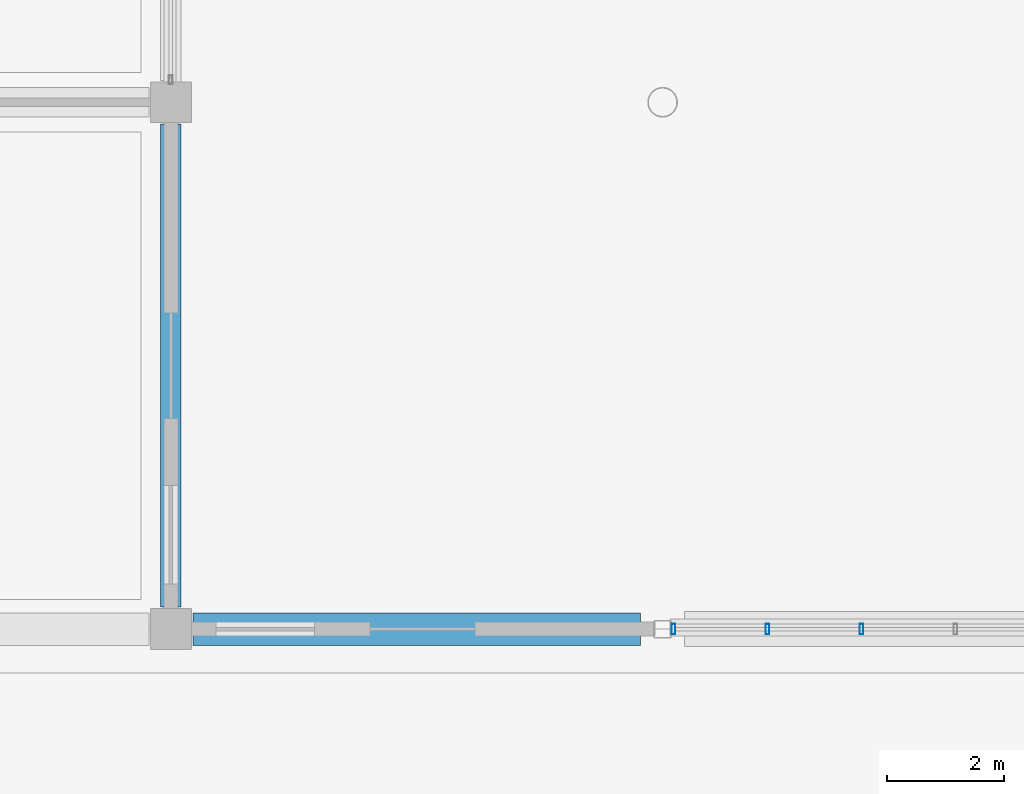
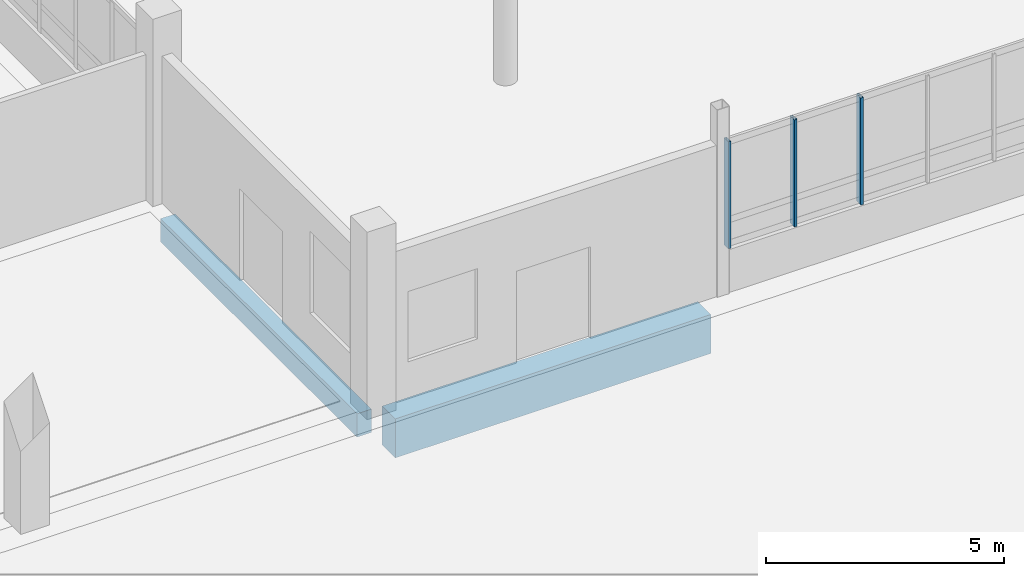
# One storey, part 20 of 95: 3 members, 2 beams, 1 element without a shape of its own.
"""IFC4 building model written with IfcOpenShell, lengths in metres."""

from ifc_helpers import new_model, si_unit, direction, frame, origin, origin_2d, place, context, subcontext, project, spatial, rectangle, hollow_rectangle, extrude, material, layer, layer_set, material_profile, profile_set, type_object, element, aggregate, save


model = new_model("IFC4")

# Units and contexts
model_context = context("Model", 3, precision=1e-05, world=origin(), true_north=direction((0.0, 1.0)))
body_context = subcontext(model_context, "Body", "Model", "MODEL_VIEW")
ifc_project = project(units=[si_unit("LENGTHUNIT", "METRE"), si_unit("AREAUNIT", "SQUARE_METRE"), si_unit("VOLUMEUNIT", "CUBIC_METRE"), si_unit("PLANEANGLEUNIT", "RADIAN"), si_unit("MASSUNIT", "GRAM", prefix="KILO")], contexts=[model_context])

# Site, building, storey
site_placement = place(None, origin())
site = spatial("IfcSite", under=ifc_project, at=site_placement, CompositionType="ELEMENT")
building_placement = place(site_placement, origin())
building = spatial("IfcBuilding", under=site, at=building_placement, Name="Vireocrest Preparatory School", CompositionType="ELEMENT")
storey_placement = place(building_placement, origin())
storey = spatial("IfcBuildingStorey", under=building, at=storey_placement, Name="L00", CompositionType="ELEMENT", Elevation=0.0)

# Curtain wall, members
ifc_material_1 = material(Name="Thermally broken aluminium EN AW-6063-T6", Category="aluminium")
ifc_layer = layer(ifc_material_1, 0.179931640625)
ifc_layer_set = layer_set([ifc_layer], Name="Thermally broken aluminium EN AW-6063-T6")
curtain_wall_type = type_object("IfcCurtainWallType", Name="Court Banded Curtain Wall 8400x3600", PredefinedType="USERDEFINED", material=ifc_layer_set)
curtain_wall_placement = place(storey_placement, origin())
curtain_wall = element("IfcCurtainWall", 1, at=curtain_wall_placement, inside=storey, type_object=curtain_wall_type, Name="Curtain Wall CW01 CW_L00_CW01_0757_0180_011", ObjectType="CURTAIN WALL", PredefinedType="USERDEFINED")
ifc_material_profile_1 = material_profile(ifc_material_1, hollow_rectangle(XDim=0.06494140625, YDim=0.179931640625, WallThickness=0.00390625, at=origin_2d()), Name="ALU 65x180x4")
ifc_profile_set_1 = profile_set([ifc_material_profile_1], Name="Thermally broken aluminium EN AW-6063-T6")
member_type = type_object("IfcMemberType", Name="CW Mullion 65x180x4", PredefinedType="MULLION", material=ifc_profile_set_1)
member_1_placement = place(storey_placement, frame((75.787353515625, 18.0, 1.10009765625), z_axis=(0.0, 0.0, 1.0), x_axis=(1.0, 0.0, 0.0)))
member_1 = element("IfcMember", 2, at=member_1_placement, type_object=member_type, Name="CW Mullion ML2 CW_L00_CW01_0757_0180_011-1", PredefinedType="MULLION", context=body_context, shape_type="SweptSolid", body=[
    extrude(hollow_rectangle(XDim=0.06494140625, YDim=0.179931640625, WallThickness=0.00390625, at=origin_2d()), origin(), (0.0, 0.0, 1.0), 2.741943359375),
])
member_2_placement = place(storey_placement, frame((77.392333984375, 18.0, 1.10009765625), z_axis=(0.0, 0.0, 1.0), x_axis=(1.0, 0.0, 0.0)))
member_2 = element("IfcMember", 3, at=member_2_placement, type_object=member_type, Name="CW Mullion ML2 CW_L00_CW01_0757_0180_011-2", PredefinedType="MULLION", context=body_context, shape_type="SweptSolid", body=[
    extrude(hollow_rectangle(XDim=0.06494140625, YDim=0.179931640625, WallThickness=0.00390625, at=origin_2d()), origin(), (0.0, 0.0, 1.0), 2.741943359375),
])
member_3_placement = place(storey_placement, frame((78.99755859375, 18.0, 1.10009765625), z_axis=(0.0, 0.0, 1.0), x_axis=(1.0, 0.0, 0.0)))
member_3 = element("IfcMember", 4, at=member_3_placement, type_object=member_type, Name="CW Mullion ML2 CW_L00_CW01_0757_0180_011-3", PredefinedType="MULLION", context=body_context, shape_type="SweptSolid", body=[
    extrude(hollow_rectangle(XDim=0.06494140625, YDim=0.179931640625, WallThickness=0.00390625, at=origin_2d()), origin(), (0.0, 0.0, 1.0), 2.741943359375),
])
aggregate(curtain_wall, [member_1, member_2, member_3])

# Beams
ifc_material_2 = material(Name="Concrete 40 MPa", Category="concrete")
ifc_material_profile_2 = material_profile(ifc_material_2, rectangle(XDim=0.35009765625, YDim=0.60009765625, at=origin_2d()), Name="RC 350x600")
ifc_profile_set_2 = profile_set([ifc_material_profile_2], Name="Concrete 40 MPa")
beam_type_1 = type_object("IfcBeamType", Name="RC Classroom Girder 350x600", PredefinedType="BEAM", material=ifc_profile_set_2)
beam_1_placement = place(storey_placement, frame((67.199951171875, 18.375, -0.64990234375), z_axis=(0.0, 1.0, 0.0), x_axis=(-1.0, 0.0, 0.0)))
element("IfcBeam", 5, at=beam_1_placement, inside=storey, type_object=beam_type_1, Name="Primary Girder B04 L00-0177", PredefinedType="BEAM", context=body_context, shape_type="SweptSolid", body=[
    extrude(rectangle(XDim=0.35009765625, YDim=0.60009765625, at=origin_2d()), origin(), (0.0, 0.0, 1.0), 8.25),
])
ifc_material_profile_3 = material_profile(ifc_material_2, rectangle(XDim=0.550048828125, YDim=1.0, at=origin_2d()), Name="RC 550x1000")
ifc_profile_set_3 = profile_set([ifc_material_profile_3], Name="Concrete 40 MPa")
beam_type_2 = type_object("IfcBeamType", Name="RC Core Coupling Beam 550x1000", PredefinedType="BEAM", material=ifc_profile_set_3)
beam_2_placement = place(storey_placement, frame((67.574951171875, 18.0, -0.780029296875), z_axis=(1.0, 0.0, 0.0), x_axis=(0.0, 1.0, 0.0)))
element("IfcBeam", 6, at=beam_2_placement, inside=storey, type_object=beam_type_2, Name="Primary Girder B18 L00-0016", PredefinedType="BEAM", context=body_context, shape_type="SweptSolid", body=[
    extrude(rectangle(XDim=0.550048828125, YDim=1.0, at=origin_2d()), origin(), (0.0, 0.0, 1.0), 7.650146484375),
])

save(model, "model.ifc")
